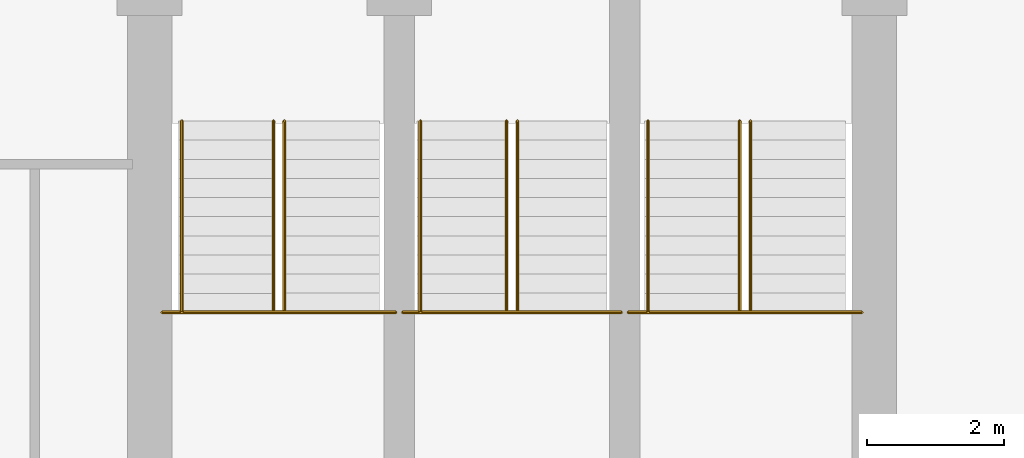
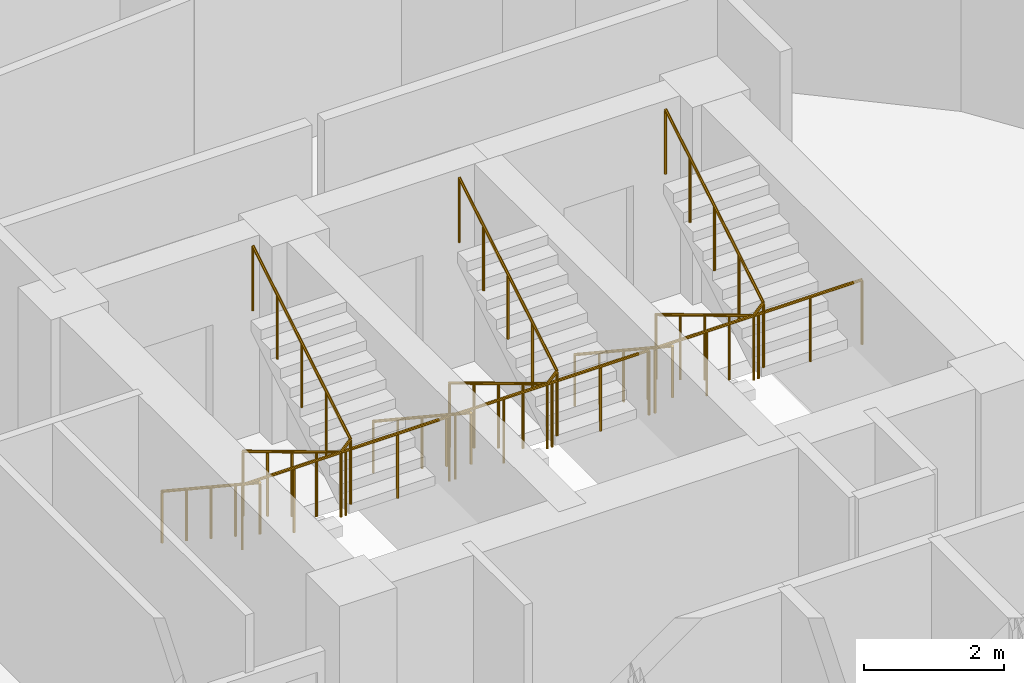
# One storey, part 26 of 26: 9 railings.
"""IFC4 building model written with IfcOpenShell, lengths in metres."""

from ifc_helpers import new_model, si_unit, direction, frame, origin, place, context, subcontext, project, spatial, polyline, outline, extrude, material, type_object, element, save


model = new_model("IFC4")

# Units and contexts
model_context = context("Model", 3, precision=1e-05, world=origin(), true_north=direction((0.0, 1.0)))
body_context = subcontext(model_context, "Body", "Model", "MODEL_VIEW")
ifc_project = project(units=[si_unit("LENGTHUNIT", "METRE"), si_unit("AREAUNIT", "SQUARE_METRE"), si_unit("VOLUMEUNIT", "CUBIC_METRE"), si_unit("PLANEANGLEUNIT", "RADIAN"), si_unit("MASSUNIT", "GRAM", prefix="KILO")], contexts=[model_context])

# Site, building, storey
site_placement = place(None, origin())
site = spatial("IfcSite", under=ifc_project, at=site_placement, CompositionType="ELEMENT")
building_placement = place(site_placement, origin())
building = spatial("IfcBuilding", under=site, at=building_placement, Name="Nuhasar Tower", CompositionType="ELEMENT")
storey_placement = place(building_placement, frame((0.0, 0.0, 140.449951171875)))
storey = spatial("IfcBuildingStorey", under=building, at=storey_placement, Name="L33", CompositionType="ELEMENT", Elevation=140.449951171875)

# Railings
ifc_material_1 = material(Name="Steel S355", Category="steel")
railing_type_1 = type_object("IfcRailingType", Name="RLG-STAIR-GUARD-1150", PredefinedType="GUARDRAIL", material=ifc_material_1)
railing_1_placement = place(storey_placement, frame((33.8798828125, 32.485107421875, 1.85009765625)))
element("IfcRailing", 1, at=railing_1_placement, inside=storey, type_object=railing_type_1, Name="L33 Stair ST-01 Guardrail LND", PredefinedType="GUARDRAIL", context=body_context, shape_type="SweptSolid", body=[
    extrude(outline(polyline([(0.024169921875, 0.0), (0.01708984375, 0.01708984375), (0.0, 0.024169921875), (-0.01708984375, 0.01708984375), (-0.024169921875, 0.0), (-0.01708984375, -0.01708984375), (0.0, -0.024169921875), (0.01708984375, -0.01708984375), (0.024169921875, 0.0)])), frame((0.0, 0.0, 1.1259765625), z_axis=(1.0, 0.0, 0.0), x_axis=(0.0, 1.0, 0.0)), (0.0, 0.0, 1.0), 3.420166015625),
    extrude(outline(polyline([(0.02099609375, 0.0), (0.014892578125, 0.014892578125), (0.0, 0.02099609375), (-0.014892578125, 0.014892578125), (-0.02099609375, 0.0), (-0.014892578125, -0.014892578125), (0.0, -0.02099609375), (0.014892578125, -0.014892578125), (0.02099609375, 0.0)])), origin(), (0.0, 0.0, 1.0), 1.101806640625),
    extrude(outline(polyline([(0.02099609375, 0.0), (0.014892578125, 0.014892578125), (0.0, 0.02099609375), (-0.014892578125, 0.014892578125), (-0.02099609375, 0.0), (-0.014892578125, -0.014892578125), (0.0, -0.02099609375), (0.014892578125, -0.014892578125), (0.02099609375, 0.0)])), frame((0.85498046875, 0.0, 0.0)), (0.0, 0.0, 1.0), 1.101806640625),
    extrude(outline(polyline([(0.02099609375, 0.0), (0.014892578125, 0.014892578125), (0.0, 0.02099609375), (-0.014892578125, 0.014892578125), (-0.02099609375, 0.0), (-0.014892578125, -0.014892578125), (0.0, -0.02099609375), (0.014892578125, -0.014892578125), (0.02099609375, 0.0)])), frame((1.7099609375, 0.0, 0.0)), (0.0, 0.0, 1.0), 1.101806640625),
    extrude(outline(polyline([(0.02099609375, 0.0), (0.014892578125, 0.014892578125), (0.0, 0.02099609375), (-0.014892578125, 0.014892578125), (-0.02099609375, 0.0), (-0.014892578125, -0.014892578125), (0.0, -0.02099609375), (0.014892578125, -0.014892578125), (0.02099609375, 0.0)])), frame((2.565185546875, 0.0, 0.0)), (0.0, 0.0, 1.0), 1.101806640625),
    extrude(outline(polyline([(0.02099609375, 0.0), (0.014892578125, 0.014892578125), (0.0, 0.02099609375), (-0.014892578125, 0.014892578125), (-0.02099609375, 0.0), (-0.014892578125, -0.014892578125), (0.0, -0.02099609375), (0.014892578125, -0.014892578125), (0.02099609375, 0.0)])), frame((3.420166015625, 0.0, 0.0)), (0.0, 0.0, 1.0), 1.101806640625),
])
railing_2_placement = place(storey_placement, frame((35.510009765625, 35.284912109375, 0.16796875)))
element("IfcRailing", 2, at=railing_2_placement, inside=storey, type_object=railing_type_1, Name="L33 Stair ST-01 Guardrail SLT", PredefinedType="GUARDRAIL", context=body_context, shape_type="SweptSolid", body=[
    extrude(outline(polyline([(0.024169921875, 0.0), (0.01708984375, 0.01708984375), (0.0, 0.024169921875), (-0.01708984375, 0.01708984375), (-0.024169921875, 0.0), (-0.01708984375, -0.01708984375), (0.0, -0.024169921875), (0.01708984375, -0.01708984375), (0.024169921875, 0.0)])), frame((0.0, 0.0, 1.1259765625), z_axis=(0.0, -0.857189395008, 0.515001302023), x_axis=(1.0, 0.0, 0.0)), (0.0, 0.0, 1.0), 3.266357421875),
    extrude(outline(polyline([(0.024169921875, 0.0), (0.01708984375, 0.01708984375), (0.0, 0.024169921875), (-0.01708984375, 0.01708984375), (-0.024169921875, 0.0), (-0.01708984375, -0.01708984375), (0.0, -0.024169921875), (0.01708984375, -0.01708984375), (0.024169921875, 0.0)])), frame((0.0, -2.7998046875, 2.80810546875), z_axis=(0.689523729023, 0.0, 0.72426309247), x_axis=(0.0, 1.0, 0.0)), (0.0, 0.0, 1.0), 0.23193359375),
    extrude(outline(polyline([(0.024169921875, 0.0), (0.01708984375, 0.01708984375), (0.0, 0.024169921875), (-0.01708984375, 0.01708984375), (-0.024169921875, 0.0), (-0.01708984375, -0.01708984375), (0.0, -0.024169921875), (0.01708984375, -0.01708984375), (0.024169921875, 0.0)])), frame((0.159912109375, -2.7998046875, 2.97607421875), z_axis=(0.0, 0.857222391501, 0.514946377315), x_axis=(-1.0, 0.0, 0.0)), (0.0, 0.0, 1.0), 3.26611328125),
    extrude(outline(polyline([(0.02099609375, 0.0), (0.014892578125, 0.014892578125), (0.0, 0.02099609375), (-0.014892578125, 0.014892578125), (-0.02099609375, 0.0), (-0.014892578125, -0.014892578125), (0.0, -0.02099609375), (0.014892578125, -0.014892578125), (0.02099609375, 0.0)])), origin(), (0.0, 0.0, 1.0), 1.101806640625),
    extrude(outline(polyline([(0.02099609375, 0.0), (0.014892578125, 0.014892578125), (0.0, 0.02099609375), (-0.014892578125, 0.014892578125), (-0.02099609375, 0.0), (-0.014892578125, -0.014892578125), (0.0, -0.02099609375), (0.014892578125, -0.014892578125), (0.02099609375, 0.0)])), frame((0.0, -0.699951171875, 0.42041015625)), (0.0, 0.0, 1.0), 1.101806640625),
    extrude(outline(polyline([(0.02099609375, 0.0), (0.014892578125, 0.014892578125), (0.0, 0.02099609375), (-0.014892578125, 0.014892578125), (-0.02099609375, 0.0), (-0.014892578125, -0.014892578125), (0.0, -0.02099609375), (0.014892578125, -0.014892578125), (0.02099609375, 0.0)])), frame((0.0, -1.39990234375, 0.841064453125)), (0.0, 0.0, 1.0), 1.101806640625),
    extrude(outline(polyline([(0.02099609375, 0.0), (0.014892578125, 0.014892578125), (0.0, 0.02099609375), (-0.014892578125, 0.014892578125), (-0.02099609375, 0.0), (-0.014892578125, -0.014892578125), (0.0, -0.02099609375), (0.014892578125, -0.014892578125), (0.02099609375, 0.0)])), frame((0.0, -2.099853515625, 1.26171875)), (0.0, 0.0, 1.0), 1.101806640625),
    extrude(outline(polyline([(0.02099609375, 0.0), (0.014892578125, 0.014892578125), (0.0, 0.02099609375), (-0.014892578125, 0.014892578125), (-0.02099609375, 0.0), (-0.014892578125, -0.014892578125), (0.0, -0.02099609375), (0.014892578125, -0.014892578125), (0.02099609375, 0.0)])), frame((0.0, -2.7998046875, 1.68212890625)), (0.0, 0.0, 1.0), 1.101806640625),
    extrude(outline(polyline([(0.02099609375, 0.0), (0.014892578125, 0.014892578125), (0.0, 0.02099609375), (-0.014892578125, 0.014892578125), (-0.02099609375, 0.0), (-0.014892578125, -0.014892578125), (0.0, -0.02099609375), (0.014892578125, -0.014892578125), (0.02099609375, 0.0)])), frame((0.159912109375, -2.7998046875, 1.85009765625)), (0.0, 0.0, 1.0), 1.101806640625),
    extrude(outline(polyline([(0.02099609375, 0.0), (0.014892578125, 0.014892578125), (0.0, 0.02099609375), (-0.014892578125, 0.014892578125), (-0.02099609375, 0.0), (-0.014892578125, -0.014892578125), (0.0, -0.02099609375), (0.014892578125, -0.014892578125), (0.02099609375, 0.0)])), frame((0.159912109375, -2.099853515625, 2.2705078125)), (0.0, 0.0, 1.0), 1.101806640625),
    extrude(outline(polyline([(0.02099609375, 0.0), (0.014892578125, 0.014892578125), (0.0, 0.02099609375), (-0.014892578125, 0.014892578125), (-0.02099609375, 0.0), (-0.014892578125, -0.014892578125), (0.0, -0.02099609375), (0.014892578125, -0.014892578125), (0.02099609375, 0.0)])), frame((0.159912109375, -1.39990234375, 2.69091796875)), (0.0, 0.0, 1.0), 1.101806640625),
    extrude(outline(polyline([(0.02099609375, 0.0), (0.014892578125, 0.014892578125), (0.0, 0.02099609375), (-0.014892578125, 0.014892578125), (-0.02099609375, 0.0), (-0.014892578125, -0.014892578125), (0.0, -0.02099609375), (0.014892578125, -0.014892578125), (0.02099609375, 0.0)])), frame((0.159912109375, -0.699951171875, 3.111572265625)), (0.0, 0.0, 1.0), 1.101806640625),
    extrude(outline(polyline([(0.02099609375, 0.0), (0.014892578125, 0.014892578125), (0.0, 0.02099609375), (-0.014892578125, 0.014892578125), (-0.02099609375, 0.0), (-0.014892578125, -0.014892578125), (0.0, -0.02099609375), (0.014892578125, -0.014892578125), (0.02099609375, 0.0)])), frame((0.159912109375, 0.0, 3.531982421875)), (0.0, 0.0, 1.0), 1.101806640625),
])
railing_3_placement = place(storey_placement, frame((37.39990234375, 32.485107421875, 1.85009765625)))
element("IfcRailing", 3, at=railing_3_placement, inside=storey, type_object=railing_type_1, Name="L33 Stair ST-03 Guardrail LND", PredefinedType="GUARDRAIL", context=body_context, shape_type="SweptSolid", body=[
    extrude(outline(polyline([(0.024169921875, 0.0), (0.01708984375, 0.01708984375), (0.0, 0.024169921875), (-0.01708984375, 0.01708984375), (-0.024169921875, 0.0), (-0.01708984375, -0.01708984375), (0.0, -0.024169921875), (0.01708984375, -0.01708984375), (0.024169921875, 0.0)])), frame((0.0, 0.0, 1.1259765625), z_axis=(1.0, 0.0, 0.0), x_axis=(0.0, 1.0, 0.0)), (0.0, 0.0, 1.0), 3.2001953125),
    extrude(outline(polyline([(0.02099609375, 0.0), (0.014892578125, 0.014892578125), (0.0, 0.02099609375), (-0.014892578125, 0.014892578125), (-0.02099609375, 0.0), (-0.014892578125, -0.014892578125), (0.0, -0.02099609375), (0.014892578125, -0.014892578125), (0.02099609375, 0.0)])), origin(), (0.0, 0.0, 1.0), 1.101806640625),
    extrude(outline(polyline([(0.02099609375, 0.0), (0.014892578125, 0.014892578125), (0.0, 0.02099609375), (-0.014892578125, 0.014892578125), (-0.02099609375, 0.0), (-0.014892578125, -0.014892578125), (0.0, -0.02099609375), (0.014892578125, -0.014892578125), (0.02099609375, 0.0)])), frame((0.800048828125, 0.0, 0.0)), (0.0, 0.0, 1.0), 1.101806640625),
    extrude(outline(polyline([(0.02099609375, 0.0), (0.014892578125, 0.014892578125), (0.0, 0.02099609375), (-0.014892578125, 0.014892578125), (-0.02099609375, 0.0), (-0.014892578125, -0.014892578125), (0.0, -0.02099609375), (0.014892578125, -0.014892578125), (0.02099609375, 0.0)])), frame((1.60009765625, 0.0, 0.0)), (0.0, 0.0, 1.0), 1.101806640625),
    extrude(outline(polyline([(0.02099609375, 0.0), (0.014892578125, 0.014892578125), (0.0, 0.02099609375), (-0.014892578125, 0.014892578125), (-0.02099609375, 0.0), (-0.014892578125, -0.014892578125), (0.0, -0.02099609375), (0.014892578125, -0.014892578125), (0.02099609375, 0.0)])), frame((2.400146484375, 0.0, 0.0)), (0.0, 0.0, 1.0), 1.101806640625),
    extrude(outline(polyline([(0.02099609375, 0.0), (0.014892578125, 0.014892578125), (0.0, 0.02099609375), (-0.014892578125, 0.014892578125), (-0.02099609375, 0.0), (-0.014892578125, -0.014892578125), (0.0, -0.02099609375), (0.014892578125, -0.014892578125), (0.02099609375, 0.0)])), frame((3.2001953125, 0.0, 0.0)), (0.0, 0.0, 1.0), 1.101806640625),
])
railing_4_placement = place(storey_placement, frame((38.919921875, 35.284912109375, 0.16796875)))
element("IfcRailing", 4, at=railing_4_placement, inside=storey, type_object=railing_type_1, Name="L33 Stair ST-03 Guardrail SLT", PredefinedType="GUARDRAIL", context=body_context, shape_type="SweptSolid", body=[
    extrude(outline(polyline([(0.024169921875, 0.0), (0.01708984375, 0.01708984375), (0.0, 0.024169921875), (-0.01708984375, 0.01708984375), (-0.024169921875, 0.0), (-0.01708984375, -0.01708984375), (0.0, -0.024169921875), (0.01708984375, -0.01708984375), (0.024169921875, 0.0)])), frame((0.0, 0.0, 1.1259765625), z_axis=(0.0, -0.857189395008, 0.515001302023), x_axis=(1.0, 0.0, 0.0)), (0.0, 0.0, 1.0), 3.266357421875),
    extrude(outline(polyline([(0.024169921875, 0.0), (0.01708984375, 0.01708984375), (0.0, 0.024169921875), (-0.01708984375, 0.01708984375), (-0.024169921875, 0.0), (-0.01708984375, -0.01708984375), (0.0, -0.024169921875), (0.01708984375, -0.01708984375), (0.024169921875, 0.0)])), frame((0.0, -2.7998046875, 2.80810546875), z_axis=(0.690075333573, 0.0, 0.723737544967), x_axis=(0.0, 1.0, 0.0)), (0.0, 0.0, 1.0), 0.232177734375),
    extrude(outline(polyline([(0.024169921875, 0.0), (0.01708984375, 0.01708984375), (0.0, 0.024169921875), (-0.01708984375, 0.01708984375), (-0.024169921875, 0.0), (-0.01708984375, -0.01708984375), (0.0, -0.024169921875), (0.01708984375, -0.01708984375), (0.024169921875, 0.0)])), frame((0.16015625, -2.7998046875, 2.97607421875), z_axis=(0.0, 0.857222391501, 0.514946377315), x_axis=(-1.0, 0.0, 0.0)), (0.0, 0.0, 1.0), 3.26611328125),
    extrude(outline(polyline([(0.02099609375, 0.0), (0.014892578125, 0.014892578125), (0.0, 0.02099609375), (-0.014892578125, 0.014892578125), (-0.02099609375, 0.0), (-0.014892578125, -0.014892578125), (0.0, -0.02099609375), (0.014892578125, -0.014892578125), (0.02099609375, 0.0)])), origin(), (0.0, 0.0, 1.0), 1.101806640625),
    extrude(outline(polyline([(0.02099609375, 0.0), (0.014892578125, 0.014892578125), (0.0, 0.02099609375), (-0.014892578125, 0.014892578125), (-0.02099609375, 0.0), (-0.014892578125, -0.014892578125), (0.0, -0.02099609375), (0.014892578125, -0.014892578125), (0.02099609375, 0.0)])), frame((0.0, -0.699951171875, 0.42041015625)), (0.0, 0.0, 1.0), 1.101806640625),
    extrude(outline(polyline([(0.02099609375, 0.0), (0.014892578125, 0.014892578125), (0.0, 0.02099609375), (-0.014892578125, 0.014892578125), (-0.02099609375, 0.0), (-0.014892578125, -0.014892578125), (0.0, -0.02099609375), (0.014892578125, -0.014892578125), (0.02099609375, 0.0)])), frame((0.0, -1.39990234375, 0.841064453125)), (0.0, 0.0, 1.0), 1.101806640625),
    extrude(outline(polyline([(0.02099609375, 0.0), (0.014892578125, 0.014892578125), (0.0, 0.02099609375), (-0.014892578125, 0.014892578125), (-0.02099609375, 0.0), (-0.014892578125, -0.014892578125), (0.0, -0.02099609375), (0.014892578125, -0.014892578125), (0.02099609375, 0.0)])), frame((0.0, -2.099853515625, 1.26171875)), (0.0, 0.0, 1.0), 1.101806640625),
    extrude(outline(polyline([(0.02099609375, 0.0), (0.014892578125, 0.014892578125), (0.0, 0.02099609375), (-0.014892578125, 0.014892578125), (-0.02099609375, 0.0), (-0.014892578125, -0.014892578125), (0.0, -0.02099609375), (0.014892578125, -0.014892578125), (0.02099609375, 0.0)])), frame((0.0, -2.7998046875, 1.68212890625)), (0.0, 0.0, 1.0), 1.101806640625),
    extrude(outline(polyline([(0.02099609375, 0.0), (0.014892578125, 0.014892578125), (0.0, 0.02099609375), (-0.014892578125, 0.014892578125), (-0.02099609375, 0.0), (-0.014892578125, -0.014892578125), (0.0, -0.02099609375), (0.014892578125, -0.014892578125), (0.02099609375, 0.0)])), frame((0.16015625, -2.7998046875, 1.85009765625)), (0.0, 0.0, 1.0), 1.101806640625),
    extrude(outline(polyline([(0.02099609375, 0.0), (0.014892578125, 0.014892578125), (0.0, 0.02099609375), (-0.014892578125, 0.014892578125), (-0.02099609375, 0.0), (-0.014892578125, -0.014892578125), (0.0, -0.02099609375), (0.014892578125, -0.014892578125), (0.02099609375, 0.0)])), frame((0.16015625, -2.099853515625, 2.2705078125)), (0.0, 0.0, 1.0), 1.101806640625),
    extrude(outline(polyline([(0.02099609375, 0.0), (0.014892578125, 0.014892578125), (0.0, 0.02099609375), (-0.014892578125, 0.014892578125), (-0.02099609375, 0.0), (-0.014892578125, -0.014892578125), (0.0, -0.02099609375), (0.014892578125, -0.014892578125), (0.02099609375, 0.0)])), frame((0.16015625, -1.39990234375, 2.69091796875)), (0.0, 0.0, 1.0), 1.101806640625),
    extrude(outline(polyline([(0.02099609375, 0.0), (0.014892578125, 0.014892578125), (0.0, 0.02099609375), (-0.014892578125, 0.014892578125), (-0.02099609375, 0.0), (-0.014892578125, -0.014892578125), (0.0, -0.02099609375), (0.014892578125, -0.014892578125), (0.02099609375, 0.0)])), frame((0.16015625, -0.699951171875, 3.111572265625)), (0.0, 0.0, 1.0), 1.101806640625),
    extrude(outline(polyline([(0.02099609375, 0.0), (0.014892578125, 0.014892578125), (0.0, 0.02099609375), (-0.014892578125, 0.014892578125), (-0.02099609375, 0.0), (-0.014892578125, -0.014892578125), (0.0, -0.02099609375), (0.014892578125, -0.014892578125), (0.02099609375, 0.0)])), frame((0.16015625, 0.0, 3.531982421875)), (0.0, 0.0, 1.0), 1.101806640625),
])
railing_5_placement = place(storey_placement, frame((40.699951171875, 32.485107421875, 1.85009765625)))
element("IfcRailing", 5, at=railing_5_placement, inside=storey, type_object=railing_type_1, Name="L33 Stair ST-02 Guardrail LND", PredefinedType="GUARDRAIL", context=body_context, shape_type="SweptSolid", body=[
    extrude(outline(polyline([(0.024169921875, 0.0), (0.01708984375, 0.01708984375), (0.0, 0.024169921875), (-0.01708984375, 0.01708984375), (-0.024169921875, 0.0), (-0.01708984375, -0.01708984375), (0.0, -0.024169921875), (0.01708984375, -0.01708984375), (0.024169921875, 0.0)])), frame((0.0, 0.0, 1.1259765625), z_axis=(1.0, 0.0, 0.0), x_axis=(0.0, 1.0, 0.0)), (0.0, 0.0, 1.0), 3.420166015625),
    extrude(outline(polyline([(0.02099609375, 0.0), (0.014892578125, 0.014892578125), (0.0, 0.02099609375), (-0.014892578125, 0.014892578125), (-0.02099609375, 0.0), (-0.014892578125, -0.014892578125), (0.0, -0.02099609375), (0.014892578125, -0.014892578125), (0.02099609375, 0.0)])), origin(), (0.0, 0.0, 1.0), 1.101806640625),
    extrude(outline(polyline([(0.02099609375, 0.0), (0.014892578125, 0.014892578125), (0.0, 0.02099609375), (-0.014892578125, 0.014892578125), (-0.02099609375, 0.0), (-0.014892578125, -0.014892578125), (0.0, -0.02099609375), (0.014892578125, -0.014892578125), (0.02099609375, 0.0)])), frame((0.85498046875, 0.0, 0.0)), (0.0, 0.0, 1.0), 1.101806640625),
    extrude(outline(polyline([(0.02099609375, 0.0), (0.014892578125, 0.014892578125), (0.0, 0.02099609375), (-0.014892578125, 0.014892578125), (-0.02099609375, 0.0), (-0.014892578125, -0.014892578125), (0.0, -0.02099609375), (0.014892578125, -0.014892578125), (0.02099609375, 0.0)])), frame((1.7099609375, 0.0, 0.0)), (0.0, 0.0, 1.0), 1.101806640625),
    extrude(outline(polyline([(0.02099609375, 0.0), (0.014892578125, 0.014892578125), (0.0, 0.02099609375), (-0.014892578125, 0.014892578125), (-0.02099609375, 0.0), (-0.014892578125, -0.014892578125), (0.0, -0.02099609375), (0.014892578125, -0.014892578125), (0.02099609375, 0.0)])), frame((2.565185546875, 0.0, 0.0)), (0.0, 0.0, 1.0), 1.101806640625),
    extrude(outline(polyline([(0.02099609375, 0.0), (0.014892578125, 0.014892578125), (0.0, 0.02099609375), (-0.014892578125, 0.014892578125), (-0.02099609375, 0.0), (-0.014892578125, -0.014892578125), (0.0, -0.02099609375), (0.014892578125, -0.014892578125), (0.02099609375, 0.0)])), frame((3.420166015625, 0.0, 0.0)), (0.0, 0.0, 1.0), 1.101806640625),
])
railing_6_placement = place(storey_placement, frame((42.330078125, 35.284912109375, 0.16796875)))
element("IfcRailing", 6, at=railing_6_placement, inside=storey, type_object=railing_type_1, Name="L33 Stair ST-02 Guardrail SLT", PredefinedType="GUARDRAIL", context=body_context, shape_type="SweptSolid", body=[
    extrude(outline(polyline([(0.024169921875, 0.0), (0.01708984375, 0.01708984375), (0.0, 0.024169921875), (-0.01708984375, 0.01708984375), (-0.024169921875, 0.0), (-0.01708984375, -0.01708984375), (0.0, -0.024169921875), (0.01708984375, -0.01708984375), (0.024169921875, 0.0)])), frame((0.0, 0.0, 1.1259765625), z_axis=(0.0, -0.857189395008, 0.515001302023), x_axis=(1.0, 0.0, 0.0)), (0.0, 0.0, 1.0), 3.266357421875),
    extrude(outline(polyline([(0.024169921875, 0.0), (0.01708984375, 0.01708984375), (0.0, 0.024169921875), (-0.01708984375, 0.01708984375), (-0.024169921875, 0.0), (-0.01708984375, -0.01708984375), (0.0, -0.024169921875), (0.01708984375, -0.01708984375), (0.024169921875, 0.0)])), frame((0.0, -2.7998046875, 2.80810546875), z_axis=(0.689523729023, 0.0, 0.72426309247), x_axis=(0.0, 1.0, 0.0)), (0.0, 0.0, 1.0), 0.23193359375),
    extrude(outline(polyline([(0.024169921875, 0.0), (0.01708984375, 0.01708984375), (0.0, 0.024169921875), (-0.01708984375, 0.01708984375), (-0.024169921875, 0.0), (-0.01708984375, -0.01708984375), (0.0, -0.024169921875), (0.01708984375, -0.01708984375), (0.024169921875, 0.0)])), frame((0.159912109375, -2.7998046875, 2.97607421875), z_axis=(0.0, 0.857222391501, 0.514946377315), x_axis=(-1.0, 0.0, 0.0)), (0.0, 0.0, 1.0), 3.26611328125),
    extrude(outline(polyline([(0.02099609375, 0.0), (0.014892578125, 0.014892578125), (0.0, 0.02099609375), (-0.014892578125, 0.014892578125), (-0.02099609375, 0.0), (-0.014892578125, -0.014892578125), (0.0, -0.02099609375), (0.014892578125, -0.014892578125), (0.02099609375, 0.0)])), origin(), (0.0, 0.0, 1.0), 1.101806640625),
    extrude(outline(polyline([(0.02099609375, 0.0), (0.014892578125, 0.014892578125), (0.0, 0.02099609375), (-0.014892578125, 0.014892578125), (-0.02099609375, 0.0), (-0.014892578125, -0.014892578125), (0.0, -0.02099609375), (0.014892578125, -0.014892578125), (0.02099609375, 0.0)])), frame((0.0, -0.699951171875, 0.42041015625)), (0.0, 0.0, 1.0), 1.101806640625),
    extrude(outline(polyline([(0.02099609375, 0.0), (0.014892578125, 0.014892578125), (0.0, 0.02099609375), (-0.014892578125, 0.014892578125), (-0.02099609375, 0.0), (-0.014892578125, -0.014892578125), (0.0, -0.02099609375), (0.014892578125, -0.014892578125), (0.02099609375, 0.0)])), frame((0.0, -1.39990234375, 0.841064453125)), (0.0, 0.0, 1.0), 1.101806640625),
    extrude(outline(polyline([(0.02099609375, 0.0), (0.014892578125, 0.014892578125), (0.0, 0.02099609375), (-0.014892578125, 0.014892578125), (-0.02099609375, 0.0), (-0.014892578125, -0.014892578125), (0.0, -0.02099609375), (0.014892578125, -0.014892578125), (0.02099609375, 0.0)])), frame((0.0, -2.099853515625, 1.26171875)), (0.0, 0.0, 1.0), 1.101806640625),
    extrude(outline(polyline([(0.02099609375, 0.0), (0.014892578125, 0.014892578125), (0.0, 0.02099609375), (-0.014892578125, 0.014892578125), (-0.02099609375, 0.0), (-0.014892578125, -0.014892578125), (0.0, -0.02099609375), (0.014892578125, -0.014892578125), (0.02099609375, 0.0)])), frame((0.0, -2.7998046875, 1.68212890625)), (0.0, 0.0, 1.0), 1.101806640625),
    extrude(outline(polyline([(0.02099609375, 0.0), (0.014892578125, 0.014892578125), (0.0, 0.02099609375), (-0.014892578125, 0.014892578125), (-0.02099609375, 0.0), (-0.014892578125, -0.014892578125), (0.0, -0.02099609375), (0.014892578125, -0.014892578125), (0.02099609375, 0.0)])), frame((0.159912109375, -2.7998046875, 1.85009765625)), (0.0, 0.0, 1.0), 1.101806640625),
    extrude(outline(polyline([(0.02099609375, 0.0), (0.014892578125, 0.014892578125), (0.0, 0.02099609375), (-0.014892578125, 0.014892578125), (-0.02099609375, 0.0), (-0.014892578125, -0.014892578125), (0.0, -0.02099609375), (0.014892578125, -0.014892578125), (0.02099609375, 0.0)])), frame((0.159912109375, -2.099853515625, 2.2705078125)), (0.0, 0.0, 1.0), 1.101806640625),
    extrude(outline(polyline([(0.02099609375, 0.0), (0.014892578125, 0.014892578125), (0.0, 0.02099609375), (-0.014892578125, 0.014892578125), (-0.02099609375, 0.0), (-0.014892578125, -0.014892578125), (0.0, -0.02099609375), (0.014892578125, -0.014892578125), (0.02099609375, 0.0)])), frame((0.159912109375, -1.39990234375, 2.69091796875)), (0.0, 0.0, 1.0), 1.101806640625),
    extrude(outline(polyline([(0.02099609375, 0.0), (0.014892578125, 0.014892578125), (0.0, 0.02099609375), (-0.014892578125, 0.014892578125), (-0.02099609375, 0.0), (-0.014892578125, -0.014892578125), (0.0, -0.02099609375), (0.014892578125, -0.014892578125), (0.02099609375, 0.0)])), frame((0.159912109375, -0.699951171875, 3.111572265625)), (0.0, 0.0, 1.0), 1.101806640625),
    extrude(outline(polyline([(0.02099609375, 0.0), (0.014892578125, 0.014892578125), (0.0, 0.02099609375), (-0.014892578125, 0.014892578125), (-0.02099609375, 0.0), (-0.014892578125, -0.014892578125), (0.0, -0.02099609375), (0.014892578125, -0.014892578125), (0.02099609375, 0.0)])), frame((0.159912109375, 0.0, 3.531982421875)), (0.0, 0.0, 1.0), 1.101806640625),
])
ifc_material_2 = material(Name="Stainless Steel 316L", Category="steel")
railing_type_2 = type_object("IfcRailingType", Name="RLG-STAIR-HAND-920", PredefinedType="HANDRAIL", material=ifc_material_2)
railing_7_placement = place(storey_placement, frame((34.169921875, 35.284912109375, 0.16796875)))
element("IfcRailing", 7, at=railing_7_placement, inside=storey, type_object=railing_type_2, Name="L33 Stair ST-01 Handrail HND1", PredefinedType="HANDRAIL", context=body_context, shape_type="SweptSolid", body=[
    extrude(outline(polyline([(0.024169921875, 0.0), (0.01708984375, 0.01708984375), (0.0, 0.024169921875), (-0.01708984375, 0.01708984375), (-0.024169921875, 0.0), (-0.01708984375, -0.01708984375), (0.0, -0.024169921875), (0.01708984375, -0.01708984375), (0.024169921875, 0.0)])), frame((0.0, 0.0, 0.89599609375), z_axis=(0.0, -0.834304248922, 0.551304290053), x_axis=(1.0, 0.0, 0.0)), (0.0, 0.0, 1.0), 3.35595703125),
    extrude(outline(polyline([(0.02099609375, 0.0), (0.014892578125, 0.014892578125), (0.0, 0.02099609375), (-0.014892578125, 0.014892578125), (-0.02099609375, 0.0), (-0.014892578125, -0.014892578125), (0.0, -0.02099609375), (0.014892578125, -0.014892578125), (0.02099609375, 0.0)])), origin(), (0.0, 0.0, 1.0), 0.871826171875),
    extrude(outline(polyline([(0.02099609375, 0.0), (0.014892578125, 0.014892578125), (0.0, 0.02099609375), (-0.014892578125, 0.014892578125), (-0.02099609375, 0.0), (-0.014892578125, -0.014892578125), (0.0, -0.02099609375), (0.014892578125, -0.014892578125), (0.02099609375, 0.0)])), frame((0.0, -0.699951171875, 0.46240234375)), (0.0, 0.0, 1.0), 0.871826171875),
    extrude(outline(polyline([(0.02099609375, 0.0), (0.014892578125, 0.014892578125), (0.0, 0.02099609375), (-0.014892578125, 0.014892578125), (-0.02099609375, 0.0), (-0.014892578125, -0.014892578125), (0.0, -0.02099609375), (0.014892578125, -0.014892578125), (0.02099609375, 0.0)])), frame((0.0, -1.39990234375, 0.925048828125)), (0.0, 0.0, 1.0), 0.871826171875),
    extrude(outline(polyline([(0.02099609375, 0.0), (0.014892578125, 0.014892578125), (0.0, 0.02099609375), (-0.014892578125, 0.014892578125), (-0.02099609375, 0.0), (-0.014892578125, -0.014892578125), (0.0, -0.02099609375), (0.014892578125, -0.014892578125), (0.02099609375, 0.0)])), frame((0.0, -2.099853515625, 1.3876953125)), (0.0, 0.0, 1.0), 0.871826171875),
    extrude(outline(polyline([(0.02099609375, 0.0), (0.014892578125, 0.014892578125), (0.0, 0.02099609375), (-0.014892578125, 0.014892578125), (-0.02099609375, 0.0), (-0.014892578125, -0.014892578125), (0.0, -0.02099609375), (0.014892578125, -0.014892578125), (0.02099609375, 0.0)])), frame((0.0, -2.7998046875, 1.85009765625)), (0.0, 0.0, 1.0), 0.871826171875),
])
railing_8_placement = place(storey_placement, frame((37.659912109375, 35.284912109375, 0.16796875)))
element("IfcRailing", 8, at=railing_8_placement, inside=storey, type_object=railing_type_2, Name="L33 Stair ST-03 Handrail HND1", PredefinedType="HANDRAIL", context=body_context, shape_type="SweptSolid", body=[
    extrude(outline(polyline([(0.024169921875, 0.0), (0.01708984375, 0.01708984375), (0.0, 0.024169921875), (-0.01708984375, 0.01708984375), (-0.024169921875, 0.0), (-0.01708984375, -0.01708984375), (0.0, -0.024169921875), (0.01708984375, -0.01708984375), (0.024169921875, 0.0)])), frame((0.0, 0.0, 0.89599609375), z_axis=(0.0, -0.834304248922, 0.551304290053), x_axis=(1.0, 0.0, 0.0)), (0.0, 0.0, 1.0), 3.35595703125),
    extrude(outline(polyline([(0.02099609375, 0.0), (0.014892578125, 0.014892578125), (0.0, 0.02099609375), (-0.014892578125, 0.014892578125), (-0.02099609375, 0.0), (-0.014892578125, -0.014892578125), (0.0, -0.02099609375), (0.014892578125, -0.014892578125), (0.02099609375, 0.0)])), origin(), (0.0, 0.0, 1.0), 0.871826171875),
    extrude(outline(polyline([(0.02099609375, 0.0), (0.014892578125, 0.014892578125), (0.0, 0.02099609375), (-0.014892578125, 0.014892578125), (-0.02099609375, 0.0), (-0.014892578125, -0.014892578125), (0.0, -0.02099609375), (0.014892578125, -0.014892578125), (0.02099609375, 0.0)])), frame((0.0, -0.699951171875, 0.46240234375)), (0.0, 0.0, 1.0), 0.871826171875),
    extrude(outline(polyline([(0.02099609375, 0.0), (0.014892578125, 0.014892578125), (0.0, 0.02099609375), (-0.014892578125, 0.014892578125), (-0.02099609375, 0.0), (-0.014892578125, -0.014892578125), (0.0, -0.02099609375), (0.014892578125, -0.014892578125), (0.02099609375, 0.0)])), frame((0.0, -1.39990234375, 0.925048828125)), (0.0, 0.0, 1.0), 0.871826171875),
    extrude(outline(polyline([(0.02099609375, 0.0), (0.014892578125, 0.014892578125), (0.0, 0.02099609375), (-0.014892578125, 0.014892578125), (-0.02099609375, 0.0), (-0.014892578125, -0.014892578125), (0.0, -0.02099609375), (0.014892578125, -0.014892578125), (0.02099609375, 0.0)])), frame((0.0, -2.099853515625, 1.3876953125)), (0.0, 0.0, 1.0), 0.871826171875),
    extrude(outline(polyline([(0.02099609375, 0.0), (0.014892578125, 0.014892578125), (0.0, 0.02099609375), (-0.014892578125, 0.014892578125), (-0.02099609375, 0.0), (-0.014892578125, -0.014892578125), (0.0, -0.02099609375), (0.014892578125, -0.014892578125), (0.02099609375, 0.0)])), frame((0.0, -2.7998046875, 1.85009765625)), (0.0, 0.0, 1.0), 0.871826171875),
])
railing_9_placement = place(storey_placement, frame((40.989990234375, 35.284912109375, 0.16796875)))
element("IfcRailing", 9, at=railing_9_placement, inside=storey, type_object=railing_type_2, Name="L33 Stair ST-02 Handrail HND1", PredefinedType="HANDRAIL", context=body_context, shape_type="SweptSolid", body=[
    extrude(outline(polyline([(0.024169921875, 0.0), (0.01708984375, 0.01708984375), (0.0, 0.024169921875), (-0.01708984375, 0.01708984375), (-0.024169921875, 0.0), (-0.01708984375, -0.01708984375), (0.0, -0.024169921875), (0.01708984375, -0.01708984375), (0.024169921875, 0.0)])), frame((0.0, 0.0, 0.89599609375), z_axis=(0.0, -0.834304248922, 0.551304290053), x_axis=(1.0, 0.0, 0.0)), (0.0, 0.0, 1.0), 3.35595703125),
    extrude(outline(polyline([(0.02099609375, 0.0), (0.014892578125, 0.014892578125), (0.0, 0.02099609375), (-0.014892578125, 0.014892578125), (-0.02099609375, 0.0), (-0.014892578125, -0.014892578125), (0.0, -0.02099609375), (0.014892578125, -0.014892578125), (0.02099609375, 0.0)])), origin(), (0.0, 0.0, 1.0), 0.871826171875),
    extrude(outline(polyline([(0.02099609375, 0.0), (0.014892578125, 0.014892578125), (0.0, 0.02099609375), (-0.014892578125, 0.014892578125), (-0.02099609375, 0.0), (-0.014892578125, -0.014892578125), (0.0, -0.02099609375), (0.014892578125, -0.014892578125), (0.02099609375, 0.0)])), frame((0.0, -0.699951171875, 0.46240234375)), (0.0, 0.0, 1.0), 0.871826171875),
    extrude(outline(polyline([(0.02099609375, 0.0), (0.014892578125, 0.014892578125), (0.0, 0.02099609375), (-0.014892578125, 0.014892578125), (-0.02099609375, 0.0), (-0.014892578125, -0.014892578125), (0.0, -0.02099609375), (0.014892578125, -0.014892578125), (0.02099609375, 0.0)])), frame((0.0, -1.39990234375, 0.925048828125)), (0.0, 0.0, 1.0), 0.871826171875),
    extrude(outline(polyline([(0.02099609375, 0.0), (0.014892578125, 0.014892578125), (0.0, 0.02099609375), (-0.014892578125, 0.014892578125), (-0.02099609375, 0.0), (-0.014892578125, -0.014892578125), (0.0, -0.02099609375), (0.014892578125, -0.014892578125), (0.02099609375, 0.0)])), frame((0.0, -2.099853515625, 1.3876953125)), (0.0, 0.0, 1.0), 0.871826171875),
    extrude(outline(polyline([(0.02099609375, 0.0), (0.014892578125, 0.014892578125), (0.0, 0.02099609375), (-0.014892578125, 0.014892578125), (-0.02099609375, 0.0), (-0.014892578125, -0.014892578125), (0.0, -0.02099609375), (0.014892578125, -0.014892578125), (0.02099609375, 0.0)])), frame((0.0, -2.7998046875, 1.85009765625)), (0.0, 0.0, 1.0), 0.871826171875),
])

save(model, "model.ifc")
